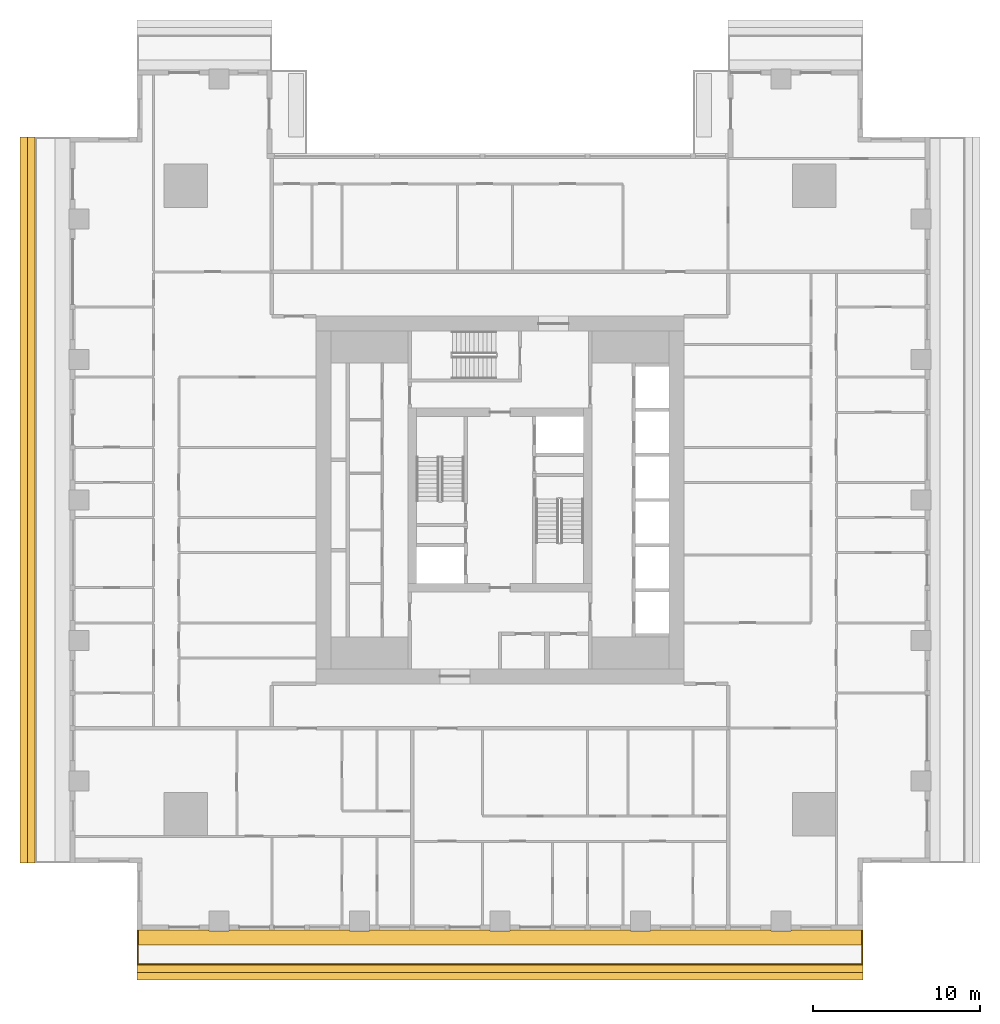
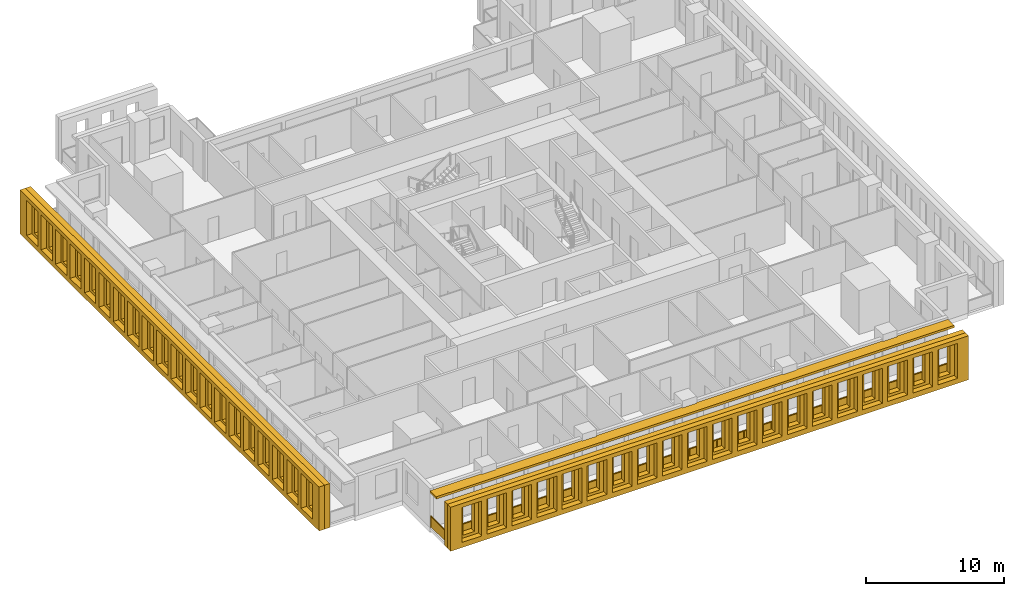
# One storey, part 11 of 16: 5 shading devices, 1 railing.
"""IFC4 building model written with IfcOpenShell, lengths in metres."""

import ifcopenshell
import ifcopenshell.guid

model = None  # the IFC model being written
_history = None  # IfcOwnerHistory: only IFC2X3 demands one
_inside = {}  # id of a spatial element -> (the spatial element, [elements in it])
_under = {}  # id of a project, library or spatial element -> (it, [spatial elements below it])
_declared = {}  # id of a project -> (the project, [libraries it declares])
_typed = {}  # id of a type object -> (the type object, [elements of that type])
_made_of = {}  # id of a material, layer set ... -> (it, [elements and type objects made of it])


def new_model(schema):
    """Start an empty IFC model of exactly this schema.

    Asked for "IFC4X3", IfcOpenShell would pick the latest addendum, in which some entities
    have other attributes; the version numbers below select the first issue.
    IFC2X3 requires an IfcOwnerHistory on every rooted entity: one is made here for all.
    """
    global model, _history
    if schema == "IFC4X3":
        model = ifcopenshell.file(schema_version=(4, 3, 0, 0))
    else:
        model = ifcopenshell.file(schema=schema)
    _inside.clear()
    _under.clear()
    _declared.clear()
    _typed.clear()
    _made_of.clear()
    _history = None
    if model.schema == "IFC2X3":
        org = make("IfcOrganization", Name="unknown")
        user = make(
            "IfcPersonAndOrganization",
            ThePerson=make("IfcPerson", FamilyName="unknown"),
            TheOrganization=org,
        )
        app = make(
            "IfcApplication",
            ApplicationDeveloper=org,
            Version="unknown",
            ApplicationFullName="unknown",
            ApplicationIdentifier="unknown",
        )
        _history = make(
            "IfcOwnerHistory",
            OwningUser=user,
            OwningApplication=app,
            ChangeAction="ADDED",
            CreationDate=0,
        )
    return model


def make(cls, **values):
    """One entity of the class cls with the attributes given. An attribute that is None is left unset."""
    return model.create_entity(
        cls, **{name: value for name, value in values.items() if value is not None}
    )


def rooted(cls, **values):
    """An entity with a GlobalId (a new one), such as an element, a storey or a relation."""
    return make(cls, GlobalId=ifcopenshell.guid.new(), OwnerHistory=_history, **values)


def si_unit(unit_type, name, prefix=None):
    """IfcSIUnit, for example si_unit("LENGTHUNIT", "METRE", prefix="MILLI")."""
    return make("IfcSIUnit", UnitType=unit_type, Prefix=prefix, Name=name)


def assignment(units):
    """IfcUnitAssignment: the units of a project."""
    return None if units is None else make("IfcUnitAssignment", Units=units)


def point(xyz):
    """IfcCartesianPoint."""
    return None if xyz is None else make("IfcCartesianPoint", Coordinates=xyz)


def direction(xyz):
    """IfcDirection."""
    return None if xyz is None else make("IfcDirection", DirectionRatios=xyz)


def frame(location, z_axis=None, x_axis=None):
    """IfcAxis2Placement3D, a coordinate frame: its origin and axes. An axis left out is left unset."""
    return make(
        "IfcAxis2Placement3D",
        Location=point(location),
        Axis=direction(z_axis),
        RefDirection=direction(x_axis),
    )


def frame_2d(location, x_axis=None):
    """IfcAxis2Placement2D, a coordinate frame in the plane: its origin and x axis."""
    return make(
        "IfcAxis2Placement2D", Location=point(location), RefDirection=direction(x_axis)
    )


def origin():
    """The frame at (0, 0, 0) with its axes left unset."""
    return frame((0.0, 0.0, 0.0))


def origin_2d():
    """The frame at (0, 0) in the plane with its x axis left unset."""
    return frame_2d((0.0, 0.0))


def place(relative_to, where):
    """IfcLocalPlacement: puts the frame where relative to a parent placement (None: the world)."""
    return make(
        "IfcLocalPlacement", PlacementRelTo=relative_to, RelativePlacement=where
    )


def context(
    kind, dimensions, precision=None, world=None, true_north=None, identifier=None
):
    """IfcGeometricRepresentationContext, for example the 3D "Model" context."""
    return make(
        "IfcGeometricRepresentationContext",
        ContextIdentifier=identifier,
        ContextType=kind,
        CoordinateSpaceDimension=dimensions,
        Precision=precision,
        WorldCoordinateSystem=world,
        TrueNorth=true_north,
    )


def subcontext(parent, identifier, kind, view, scale=None):
    """IfcGeometricRepresentationSubContext, for example "Body" below "Model"."""
    return make(
        "IfcGeometricRepresentationSubContext",
        ContextIdentifier=identifier,
        ContextType=kind,
        ParentContext=parent,
        TargetScale=scale,
        TargetView=view,
    )


def project(units=None, contexts=None):
    """IfcProject with its units and contexts."""
    return rooted(
        "IfcProject",
        Name="project",
        RepresentationContexts=contexts,
        UnitsInContext=assignment(units),
    )


def spatial(cls, under=None, at=None, **own):
    """A site, building, storey or space (cls), placed at a placement, below another one or the project."""
    s = rooted(cls, ObjectPlacement=at, **own)
    if under is not None:
        _under.setdefault(under.id(), (under, []))[1].append(s)
    return s


def polyline(points):
    """IfcPolyline through the points."""
    return make("IfcPolyline", Points=[point(p) for p in points])


def profile(cls, at=None, kind="AREA", **sizes):
    """A parametric profile (cls). Its sizes go by their IFC names, for example OverallWidth=200.0."""
    return make(cls, ProfileType=kind, Position=at, **sizes)


def rectangle(**sizes):
    """IfcRectangleProfileDef."""
    return profile("IfcRectangleProfileDef", **sizes)


def outline(outer, holes=None, kind="AREA"):
    """IfcArbitraryClosedProfileDef: a profile drawn as a closed curve; with holes, ...WithVoids."""
    if holes is None:
        return make("IfcArbitraryClosedProfileDef", ProfileType=kind, OuterCurve=outer)
    return make(
        "IfcArbitraryProfileDefWithVoids",
        ProfileType=kind,
        OuterCurve=outer,
        InnerCurves=holes,
    )


def extrude(swept, where, along, depth):
    """IfcExtrudedAreaSolid: the profile swept, set in the frame where, extruded along a direction by depth."""
    return make(
        "IfcExtrudedAreaSolid",
        SweptArea=swept,
        Position=where,
        ExtrudedDirection=direction(along),
        Depth=depth,
    )


def shape(context_of_items, identifier, shape_type, items):
    """IfcShapeRepresentation: the items that make up one representation, for example the "Body"."""
    return make(
        "IfcShapeRepresentation",
        ContextOfItems=context_of_items,
        RepresentationIdentifier=identifier,
        RepresentationType=shape_type,
        Items=items,
    )


def material(Name=None, Category=None):
    """IfcMaterial."""
    return make("IfcMaterial", Name=Name, Category=Category)


def layer(
    of_material, thickness, ventilated=None, Name=None, Category=None, Priority=None
):
    """IfcMaterialLayer: one layer of a wall or slab, of a material (None: an air gap)."""
    return make(
        "IfcMaterialLayer",
        Material=of_material,
        LayerThickness=thickness,
        IsVentilated=ventilated,
        Name=Name,
        Category=Category,
        Priority=Priority,
    )


def layer_set(layers, Name=None):
    """IfcMaterialLayerSet."""
    return make("IfcMaterialLayerSet", MaterialLayers=layers, LayerSetName=Name)


def made_of(thing, what):
    """Note that an element or type object is made of a material, layer set ...; save() writes the relation."""
    if what is not None:
        _made_of.setdefault(what.id(), (what, []))[1].append(thing)
    return thing


def type_object(cls, material=None, **own):
    """A type object (cls), such as IfcWallType, which elements share."""
    return made_of(rooted(cls, **own), material)


def element(
    cls,
    number,
    at=None,
    inside=None,
    cuts=None,
    type_object=None,
    material=None,
    context=None,
    identifier="Body",
    shape_type=None,
    held_by="IfcProductDefinitionShape",
    body=None,
    shapes=None,
    **own,
):
    """One element of the class cls, such as IfcWall. Its Tag is "e" and its number.

    at: its placement. inside: the storey or other place that contains it. cuts: it is an
    opening in that element (IfcRelVoidsElement). A single representation is given by context,
    identifier, shape_type and body (its items); several are given by shapes. held_by: the class
    of the entity that holds the representations. save() writes the other relations.
    """
    e = rooted(cls, Tag="e%d" % number, ObjectPlacement=at, **own)
    if body is not None:
        shapes = [shape(context, identifier, shape_type, body)]
    if shapes is not None:
        e.Representation = make(held_by, Representations=shapes)
    if inside is not None:
        _inside.setdefault(inside.id(), (inside, []))[1].append(e)
    if cuts is not None:
        rooted(
            "IfcRelVoidsElement", RelatingBuildingElement=cuts, RelatedOpeningElement=e
        )
    if type_object is not None:
        _typed.setdefault(type_object.id(), (type_object, []))[1].append(e)
    return made_of(e, material)


def aggregate(whole, parts):
    """IfcRelAggregates: a whole, such as a stair, and the parts it consists of."""
    return rooted("IfcRelAggregates", RelatingObject=whole, RelatedObjects=parts)


def save(model, path):
    """Write the relations noted so far, then the file.

    IfcRelAggregates (storeys below a building ...), IfcRelContainedInSpatialStructure (elements
    in a storey), IfcRelDefinesByType, IfcRelAssociatesMaterial and IfcRelDeclares: one each for
    every whole, place, type object, material and project.
    """
    for whole, parts in _under.values():
        aggregate(whole, parts)
    for where, things in _inside.values():
        rooted(
            "IfcRelContainedInSpatialStructure",
            RelatedElements=things,
            RelatingStructure=where,
        )
    for kind, things in _typed.values():
        rooted("IfcRelDefinesByType", RelatedObjects=things, RelatingType=kind)
    for what, things in _made_of.values():
        rooted("IfcRelAssociatesMaterial", RelatedObjects=things, RelatingMaterial=what)
    for by, libraries in _declared.values():
        rooted("IfcRelDeclares", RelatingContext=by, RelatedDefinitions=libraries)
    model.write(path)


model = new_model("IFC4")

# Units and contexts
model_context = context("Model", 3, precision=1e-05, world=origin(), true_north=direction((0.0, 1.0)))
body_context = subcontext(model_context, "Body", "Model", "MODEL_VIEW")
ifc_project = project(units=[si_unit("LENGTHUNIT", "METRE"), si_unit("AREAUNIT", "SQUARE_METRE"), si_unit("VOLUMEUNIT", "CUBIC_METRE"), si_unit("PLANEANGLEUNIT", "RADIAN"), si_unit("MASSUNIT", "GRAM", prefix="KILO")], contexts=[model_context])

# Site, building, storey
site_placement = place(None, origin())
site = spatial("IfcSite", under=ifc_project, at=site_placement, CompositionType="ELEMENT")
building_placement = place(site_placement, origin())
building = spatial("IfcBuilding", under=site, at=building_placement, Name="Khepri Terraces", CompositionType="ELEMENT")
storey_placement = place(building_placement, frame((0.0, 0.0, 172.800048828125)))
storey = spatial("IfcBuildingStorey", under=building, at=storey_placement, Name="L41", CompositionType="ELEMENT", Elevation=172.800048828125)

# Railing
ifc_material_1 = material(Name="Stainless steel grade 316", Category="steel")
railing_type = type_object("IfcRailingType", Name="GRD-BAL-1100", PredefinedType="GUARDRAIL", material=ifc_material_1)
railing_placement = place(storey_placement, frame((-21.669921875, -25.719970703125, 0.0)))
element("IfcRailing", 1, at=railing_placement, inside=storey, type_object=railing_type, Name="Balcony guard L41 S", PredefinedType="GUARDRAIL", context=body_context, shape_type="SweptSolid", body=[
    extrude(rectangle(XDim=0.050048828125, YDim=0.06005859375, at=origin_2d()), frame((0.0, 0.0, 1.070068359375), z_axis=(0.0, -1.0, 0.0), x_axis=(1.0, 0.0, 0.0)), (0.0, 0.0, 1.0), 2.050048828125),
    extrude(rectangle(XDim=2.0, YDim=0.011962890625, at=origin_2d()), frame((0.0, -1.02490234375, 0.10009765625), z_axis=(0.0, 0.0, 1.0), x_axis=(0.0, -1.0, 0.0)), (0.0, 0.0, 1.0), 0.93994140625),
    extrude(rectangle(XDim=0.050048828125, YDim=0.06005859375, at=origin_2d()), frame((0.0, -2.050048828125, 1.070068359375), z_axis=(1.0, 0.0, 0.0), x_axis=(0.0, 1.0, 0.0)), (0.0, 0.0, 1.0), 43.33984375),
    extrude(rectangle(XDim=2.23095703125, YDim=0.011962890625, at=origin_2d()), frame((1.140625, -2.050048828125, 0.10009765625), z_axis=(0.0, 0.0, 1.0), x_axis=(1.0, 0.0, 0.0)), (0.0, 0.0, 1.0), 0.93994140625),
    extrude(rectangle(XDim=2.23095703125, YDim=0.011962890625, at=origin_2d()), frame((3.421630859375, -2.050048828125, 0.10009765625), z_axis=(0.0, 0.0, 1.0), x_axis=(1.0, 0.0, 0.0)), (0.0, 0.0, 1.0), 0.93994140625),
    extrude(rectangle(XDim=2.23095703125, YDim=0.011962890625, at=origin_2d()), frame((5.70263671875, -2.050048828125, 0.10009765625), z_axis=(0.0, 0.0, 1.0), x_axis=(1.0, 0.0, 0.0)), (0.0, 0.0, 1.0), 0.93994140625),
    extrude(rectangle(XDim=2.23095703125, YDim=0.011962890625, at=origin_2d()), frame((7.983642578125, -2.050048828125, 0.10009765625), z_axis=(0.0, 0.0, 1.0), x_axis=(1.0, 0.0, 0.0)), (0.0, 0.0, 1.0), 0.93994140625),
    extrude(rectangle(XDim=2.23095703125, YDim=0.011962890625, at=origin_2d()), frame((10.2646484375, -2.050048828125, 0.10009765625), z_axis=(0.0, 0.0, 1.0), x_axis=(1.0, 0.0, 0.0)), (0.0, 0.0, 1.0), 0.93994140625),
    extrude(rectangle(XDim=2.23095703125, YDim=0.011962890625, at=origin_2d()), frame((12.545654296875, -2.050048828125, 0.10009765625), z_axis=(0.0, 0.0, 1.0), x_axis=(1.0, 0.0, 0.0)), (0.0, 0.0, 1.0), 0.93994140625),
    extrude(rectangle(XDim=2.23095703125, YDim=0.011962890625, at=origin_2d()), frame((14.826904296875, -2.050048828125, 0.10009765625), z_axis=(0.0, 0.0, 1.0), x_axis=(1.0, 0.0, 0.0)), (0.0, 0.0, 1.0), 0.93994140625),
    extrude(rectangle(XDim=2.23095703125, YDim=0.011962890625, at=origin_2d()), frame((17.10791015625, -2.050048828125, 0.10009765625), z_axis=(0.0, 0.0, 1.0), x_axis=(1.0, 0.0, 0.0)), (0.0, 0.0, 1.0), 0.93994140625),
    extrude(rectangle(XDim=2.23095703125, YDim=0.011962890625, at=origin_2d()), frame((19.388916015625, -2.050048828125, 0.10009765625), z_axis=(0.0, 0.0, 1.0), x_axis=(1.0, 0.0, 0.0)), (0.0, 0.0, 1.0), 0.93994140625),
    extrude(rectangle(XDim=2.23095703125, YDim=0.011962890625, at=origin_2d()), frame((21.669921875, -2.050048828125, 0.10009765625), z_axis=(0.0, 0.0, 1.0), x_axis=(1.0, 0.0, 0.0)), (0.0, 0.0, 1.0), 0.93994140625),
    extrude(rectangle(XDim=2.23095703125, YDim=0.011962890625, at=origin_2d()), frame((23.950927734375, -2.050048828125, 0.10009765625), z_axis=(0.0, 0.0, 1.0), x_axis=(1.0, 0.0, 0.0)), (0.0, 0.0, 1.0), 0.93994140625),
    extrude(rectangle(XDim=2.23095703125, YDim=0.011962890625, at=origin_2d()), frame((26.23193359375, -2.050048828125, 0.10009765625), z_axis=(0.0, 0.0, 1.0), x_axis=(1.0, 0.0, 0.0)), (0.0, 0.0, 1.0), 0.93994140625),
    extrude(rectangle(XDim=2.23095703125, YDim=0.011962890625, at=origin_2d()), frame((28.512939453125, -2.050048828125, 0.10009765625), z_axis=(0.0, 0.0, 1.0), x_axis=(1.0, 0.0, 0.0)), (0.0, 0.0, 1.0), 0.93994140625),
    extrude(rectangle(XDim=2.23095703125, YDim=0.011962890625, at=origin_2d()), frame((30.794189453125, -2.050048828125, 0.10009765625), z_axis=(0.0, 0.0, 1.0), x_axis=(1.0, 0.0, 0.0)), (0.0, 0.0, 1.0), 0.93994140625),
    extrude(rectangle(XDim=2.23095703125, YDim=0.011962890625, at=origin_2d()), frame((33.0751953125, -2.050048828125, 0.10009765625), z_axis=(0.0, 0.0, 1.0), x_axis=(1.0, 0.0, 0.0)), (0.0, 0.0, 1.0), 0.93994140625),
    extrude(rectangle(XDim=2.23095703125, YDim=0.011962890625, at=origin_2d()), frame((35.356201171875, -2.050048828125, 0.10009765625), z_axis=(0.0, 0.0, 1.0), x_axis=(1.0, 0.0, 0.0)), (0.0, 0.0, 1.0), 0.93994140625),
    extrude(rectangle(XDim=2.23095703125, YDim=0.011962890625, at=origin_2d()), frame((37.63720703125, -2.050048828125, 0.10009765625), z_axis=(0.0, 0.0, 1.0), x_axis=(1.0, 0.0, 0.0)), (0.0, 0.0, 1.0), 0.93994140625),
    extrude(rectangle(XDim=2.23095703125, YDim=0.011962890625, at=origin_2d()), frame((39.918212890625, -2.050048828125, 0.10009765625), z_axis=(0.0, 0.0, 1.0), x_axis=(1.0, 0.0, 0.0)), (0.0, 0.0, 1.0), 0.93994140625),
    extrude(rectangle(XDim=2.23095703125, YDim=0.011962890625, at=origin_2d()), frame((42.19921875, -2.050048828125, 0.10009765625), z_axis=(0.0, 0.0, 1.0), x_axis=(1.0, 0.0, 0.0)), (0.0, 0.0, 1.0), 0.93994140625),
    extrude(rectangle(XDim=0.050048828125, YDim=0.06005859375, at=origin_2d()), frame((43.33984375, -2.050048828125, 1.070068359375), z_axis=(0.0, 1.0, 0.0), x_axis=(-1.0, 0.0, 0.0)), (0.0, 0.0, 1.0), 2.050048828125),
    extrude(rectangle(XDim=2.0, YDim=0.011962890625, at=origin_2d()), frame((43.33984375, -1.02490234375, 0.10009765625), z_axis=(0.0, 0.0, 1.0), x_axis=(0.0, 1.0, 0.0)), (0.0, 0.0, 1.0), 0.93994140625),
    extrude(rectangle(XDim=0.050048828125, YDim=0.050048828125, at=origin_2d()), origin(), (0.0, 0.0, 1.0), 1.0400390625),
    extrude(rectangle(XDim=0.050048828125, YDim=0.050048828125, at=origin_2d()), frame((0.0, -2.050048828125, 0.0)), (0.0, 0.0, 1.0), 1.0400390625),
    extrude(rectangle(XDim=0.050048828125, YDim=0.050048828125, at=origin_2d()), frame((2.281005859375, -2.050048828125, 0.0)), (0.0, 0.0, 1.0), 1.0400390625),
    extrude(rectangle(XDim=0.050048828125, YDim=0.050048828125, at=origin_2d()), frame((4.56201171875, -2.050048828125, 0.0)), (0.0, 0.0, 1.0), 1.0400390625),
    extrude(rectangle(XDim=0.050048828125, YDim=0.050048828125, at=origin_2d()), frame((6.843017578125, -2.050048828125, 0.0)), (0.0, 0.0, 1.0), 1.0400390625),
    extrude(rectangle(XDim=0.050048828125, YDim=0.050048828125, at=origin_2d()), frame((9.124267578125, -2.050048828125, 0.0)), (0.0, 0.0, 1.0), 1.0400390625),
    extrude(rectangle(XDim=0.050048828125, YDim=0.050048828125, at=origin_2d()), frame((11.4052734375, -2.050048828125, 0.0)), (0.0, 0.0, 1.0), 1.0400390625),
    extrude(rectangle(XDim=0.050048828125, YDim=0.050048828125, at=origin_2d()), frame((13.686279296875, -2.050048828125, 0.0)), (0.0, 0.0, 1.0), 1.0400390625),
    extrude(rectangle(XDim=0.050048828125, YDim=0.050048828125, at=origin_2d()), frame((15.96728515625, -2.050048828125, 0.0)), (0.0, 0.0, 1.0), 1.0400390625),
    extrude(rectangle(XDim=0.050048828125, YDim=0.050048828125, at=origin_2d()), frame((18.248291015625, -2.050048828125, 0.0)), (0.0, 0.0, 1.0), 1.0400390625),
    extrude(rectangle(XDim=0.050048828125, YDim=0.050048828125, at=origin_2d()), frame((20.529296875, -2.050048828125, 0.0)), (0.0, 0.0, 1.0), 1.0400390625),
    extrude(rectangle(XDim=0.050048828125, YDim=0.050048828125, at=origin_2d()), frame((22.810546875, -2.050048828125, 0.0)), (0.0, 0.0, 1.0), 1.0400390625),
    extrude(rectangle(XDim=0.050048828125, YDim=0.050048828125, at=origin_2d()), frame((25.091552734375, -2.050048828125, 0.0)), (0.0, 0.0, 1.0), 1.0400390625),
    extrude(rectangle(XDim=0.050048828125, YDim=0.050048828125, at=origin_2d()), frame((27.37255859375, -2.050048828125, 0.0)), (0.0, 0.0, 1.0), 1.0400390625),
    extrude(rectangle(XDim=0.050048828125, YDim=0.050048828125, at=origin_2d()), frame((29.653564453125, -2.050048828125, 0.0)), (0.0, 0.0, 1.0), 1.0400390625),
    extrude(rectangle(XDim=0.050048828125, YDim=0.050048828125, at=origin_2d()), frame((31.9345703125, -2.050048828125, 0.0)), (0.0, 0.0, 1.0), 1.0400390625),
    extrude(rectangle(XDim=0.050048828125, YDim=0.050048828125, at=origin_2d()), frame((34.215576171875, -2.050048828125, 0.0)), (0.0, 0.0, 1.0), 1.0400390625),
    extrude(rectangle(XDim=0.050048828125, YDim=0.050048828125, at=origin_2d()), frame((36.496826171875, -2.050048828125, 0.0)), (0.0, 0.0, 1.0), 1.0400390625),
    extrude(rectangle(XDim=0.050048828125, YDim=0.050048828125, at=origin_2d()), frame((38.77783203125, -2.050048828125, 0.0)), (0.0, 0.0, 1.0), 1.0400390625),
    extrude(rectangle(XDim=0.050048828125, YDim=0.050048828125, at=origin_2d()), frame((41.058837890625, -2.050048828125, 0.0)), (0.0, 0.0, 1.0), 1.0400390625),
    extrude(rectangle(XDim=0.050048828125, YDim=0.050048828125, at=origin_2d()), frame((43.33984375, -2.050048828125, 0.0)), (0.0, 0.0, 1.0), 1.0400390625),
    extrude(rectangle(XDim=0.050048828125, YDim=0.050048828125, at=origin_2d()), frame((43.33984375, 0.0, 0.0)), (0.0, 0.0, 1.0), 1.0400390625),
])

# Shading devices
ifc_material_2 = material(Name="Precast concrete C50/60 warm stone", Category="masonry")
shading_device_type_1 = type_object("IfcShadingDeviceType", Name="SCR-CELL-INNER-450", PredefinedType="USERDEFINED", material=ifc_material_2)
shading_device_1_placement = place(storey_placement, frame((-21.719970703125, -27.820068359375, -0.25), z_axis=(0.0, -1.0, 0.0), x_axis=(1.0, 0.0, 0.0)))
element("IfcShadingDevice", 2, at=shading_device_1_placement, inside=storey, type_object=shading_device_type_1, Name="Cell screen L41 S in", ObjectType="SCREEN", PredefinedType="USERDEFINED", context=body_context, shape_type="SweptSolid", body=[
    extrude(outline(polyline([(0.0, 0.0), (43.43994140625, 0.0), (43.43994140625, 3.89990234375), (0.0, 3.89990234375), (0.0, 0.0)]), holes=[polyline([(1.297607421875, 0.699951171875), (2.242431640625, 0.699951171875), (2.242431640625, 3.300048828125), (1.297607421875, 3.300048828125), (1.297607421875, 0.699951171875)]), polyline([(3.3974609375, 0.699951171875), (4.342529296875, 0.699951171875), (4.342529296875, 3.300048828125), (3.3974609375, 3.300048828125), (3.3974609375, 0.699951171875)]), polyline([(5.49755859375, 0.699951171875), (6.4423828125, 0.699951171875), (6.4423828125, 3.300048828125), (5.49755859375, 3.300048828125), (5.49755859375, 0.699951171875)]), polyline([(7.597412109375, 0.699951171875), (8.54248046875, 0.699951171875), (8.54248046875, 3.300048828125), (7.597412109375, 3.300048828125), (7.597412109375, 0.699951171875)]), polyline([(9.697509765625, 0.699951171875), (10.642578125, 0.699951171875), (10.642578125, 3.300048828125), (9.697509765625, 3.300048828125), (9.697509765625, 0.699951171875)]), polyline([(11.797607421875, 0.699951171875), (12.742431640625, 0.699951171875), (12.742431640625, 3.300048828125), (11.797607421875, 3.300048828125), (11.797607421875, 0.699951171875)]), polyline([(13.8974609375, 0.699951171875), (14.842529296875, 0.699951171875), (14.842529296875, 3.300048828125), (13.8974609375, 3.300048828125), (13.8974609375, 0.699951171875)]), polyline([(15.99755859375, 0.699951171875), (16.9423828125, 0.699951171875), (16.9423828125, 3.300048828125), (15.99755859375, 3.300048828125), (15.99755859375, 0.699951171875)]), polyline([(18.097412109375, 0.699951171875), (19.04248046875, 0.699951171875), (19.04248046875, 3.300048828125), (18.097412109375, 3.300048828125), (18.097412109375, 0.699951171875)]), polyline([(20.197509765625, 0.699951171875), (21.142578125, 0.699951171875), (21.142578125, 3.300048828125), (20.197509765625, 3.300048828125), (20.197509765625, 0.699951171875)]), polyline([(22.297607421875, 0.699951171875), (23.242431640625, 0.699951171875), (23.242431640625, 3.300048828125), (22.297607421875, 3.300048828125), (22.297607421875, 0.699951171875)]), polyline([(24.3974609375, 0.699951171875), (25.342529296875, 0.699951171875), (25.342529296875, 3.300048828125), (24.3974609375, 3.300048828125), (24.3974609375, 0.699951171875)]), polyline([(26.49755859375, 0.699951171875), (27.4423828125, 0.699951171875), (27.4423828125, 3.300048828125), (26.49755859375, 3.300048828125), (26.49755859375, 0.699951171875)]), polyline([(28.597412109375, 0.699951171875), (29.54248046875, 0.699951171875), (29.54248046875, 3.300048828125), (28.597412109375, 3.300048828125), (28.597412109375, 0.699951171875)]), polyline([(30.697509765625, 0.699951171875), (31.642578125, 0.699951171875), (31.642578125, 3.300048828125), (30.697509765625, 3.300048828125), (30.697509765625, 0.699951171875)]), polyline([(32.797607421875, 0.699951171875), (33.742431640625, 0.699951171875), (33.742431640625, 3.300048828125), (32.797607421875, 3.300048828125), (32.797607421875, 0.699951171875)]), polyline([(34.8974609375, 0.699951171875), (35.842529296875, 0.699951171875), (35.842529296875, 3.300048828125), (34.8974609375, 3.300048828125), (34.8974609375, 0.699951171875)]), polyline([(36.99755859375, 0.699951171875), (37.9423828125, 0.699951171875), (37.9423828125, 3.300048828125), (36.99755859375, 3.300048828125), (36.99755859375, 0.699951171875)]), polyline([(39.097412109375, 0.699951171875), (40.04248046875, 0.699951171875), (40.04248046875, 3.300048828125), (39.097412109375, 3.300048828125), (39.097412109375, 0.699951171875)]), polyline([(41.197509765625, 0.699951171875), (42.142578125, 0.699951171875), (42.142578125, 3.300048828125), (41.197509765625, 3.300048828125), (41.197509765625, 0.699951171875)])]), origin(), (0.0, 0.0, 1.0), 0.449951171875),
])
shading_device_2_placement = place(storey_placement, frame((-27.820068359375, 21.719970703125, -0.25), z_axis=(-1.0, 0.0, 0.0), x_axis=(0.0, -1.0, 0.0)))
element("IfcShadingDevice", 3, at=shading_device_2_placement, inside=storey, type_object=shading_device_type_1, Name="Cell screen L41 W in", ObjectType="SCREEN", PredefinedType="USERDEFINED", context=body_context, shape_type="SweptSolid", body=[
    extrude(outline(polyline([(0.0, 0.0), (43.43994140625, 0.0), (43.43994140625, 3.89990234375), (0.0, 3.89990234375), (0.0, 0.0)]), holes=[polyline([(1.297607421875, 0.699951171875), (2.242431640625, 0.699951171875), (2.242431640625, 3.300048828125), (1.297607421875, 3.300048828125), (1.297607421875, 0.699951171875)]), polyline([(3.3974609375, 0.699951171875), (4.342529296875, 0.699951171875), (4.342529296875, 3.300048828125), (3.3974609375, 3.300048828125), (3.3974609375, 0.699951171875)]), polyline([(5.49755859375, 0.699951171875), (6.4423828125, 0.699951171875), (6.4423828125, 3.300048828125), (5.49755859375, 3.300048828125), (5.49755859375, 0.699951171875)]), polyline([(7.597412109375, 0.699951171875), (8.54248046875, 0.699951171875), (8.54248046875, 3.300048828125), (7.597412109375, 3.300048828125), (7.597412109375, 0.699951171875)]), polyline([(9.697509765625, 0.699951171875), (10.642578125, 0.699951171875), (10.642578125, 3.300048828125), (9.697509765625, 3.300048828125), (9.697509765625, 0.699951171875)]), polyline([(11.797607421875, 0.699951171875), (12.742431640625, 0.699951171875), (12.742431640625, 3.300048828125), (11.797607421875, 3.300048828125), (11.797607421875, 0.699951171875)]), polyline([(13.8974609375, 0.699951171875), (14.842529296875, 0.699951171875), (14.842529296875, 3.300048828125), (13.8974609375, 3.300048828125), (13.8974609375, 0.699951171875)]), polyline([(15.99755859375, 0.699951171875), (16.9423828125, 0.699951171875), (16.9423828125, 3.300048828125), (15.99755859375, 3.300048828125), (15.99755859375, 0.699951171875)]), polyline([(18.097412109375, 0.699951171875), (19.04248046875, 0.699951171875), (19.04248046875, 3.300048828125), (18.097412109375, 3.300048828125), (18.097412109375, 0.699951171875)]), polyline([(20.197509765625, 0.699951171875), (21.142578125, 0.699951171875), (21.142578125, 3.300048828125), (20.197509765625, 3.300048828125), (20.197509765625, 0.699951171875)]), polyline([(22.297607421875, 0.699951171875), (23.242431640625, 0.699951171875), (23.242431640625, 3.300048828125), (22.297607421875, 3.300048828125), (22.297607421875, 0.699951171875)]), polyline([(24.3974609375, 0.699951171875), (25.342529296875, 0.699951171875), (25.342529296875, 3.300048828125), (24.3974609375, 3.300048828125), (24.3974609375, 0.699951171875)]), polyline([(26.49755859375, 0.699951171875), (27.4423828125, 0.699951171875), (27.4423828125, 3.300048828125), (26.49755859375, 3.300048828125), (26.49755859375, 0.699951171875)]), polyline([(28.597412109375, 0.699951171875), (29.54248046875, 0.699951171875), (29.54248046875, 3.300048828125), (28.597412109375, 3.300048828125), (28.597412109375, 0.699951171875)]), polyline([(30.697509765625, 0.699951171875), (31.642578125, 0.699951171875), (31.642578125, 3.300048828125), (30.697509765625, 3.300048828125), (30.697509765625, 0.699951171875)]), polyline([(32.797607421875, 0.699951171875), (33.742431640625, 0.699951171875), (33.742431640625, 3.300048828125), (32.797607421875, 3.300048828125), (32.797607421875, 0.699951171875)]), polyline([(34.8974609375, 0.699951171875), (35.842529296875, 0.699951171875), (35.842529296875, 3.300048828125), (34.8974609375, 3.300048828125), (34.8974609375, 0.699951171875)]), polyline([(36.99755859375, 0.699951171875), (37.9423828125, 0.699951171875), (37.9423828125, 3.300048828125), (36.99755859375, 3.300048828125), (36.99755859375, 0.699951171875)]), polyline([(39.097412109375, 0.699951171875), (40.04248046875, 0.699951171875), (40.04248046875, 3.300048828125), (39.097412109375, 3.300048828125), (39.097412109375, 0.699951171875)]), polyline([(41.197509765625, 0.699951171875), (42.142578125, 0.699951171875), (42.142578125, 3.300048828125), (41.197509765625, 3.300048828125), (41.197509765625, 0.699951171875)])]), origin(), (0.0, 0.0, 1.0), 0.449951171875),
])
shading_device_type_2 = type_object("IfcShadingDeviceType", Name="SCR-CELL-OUTER-450", PredefinedType="USERDEFINED", material=ifc_material_2)
shading_device_3_placement = place(storey_placement, frame((-21.719970703125, -28.27001953125, -0.25), z_axis=(0.0, -1.0, 0.0), x_axis=(1.0, 0.0, 0.0)))
element("IfcShadingDevice", 4, at=shading_device_3_placement, inside=storey, type_object=shading_device_type_2, Name="Cell screen L41 S out", ObjectType="SCREEN", PredefinedType="USERDEFINED", context=body_context, shape_type="SweptSolid", body=[
    extrude(outline(polyline([(0.0, 0.0), (43.43994140625, 0.0), (43.43994140625, 3.89990234375), (0.0, 3.89990234375), (0.0, 0.0)]), holes=[polyline([(0.947509765625, 0.449951171875), (2.592529296875, 0.449951171875), (2.592529296875, 3.550048828125), (0.947509765625, 3.550048828125), (0.947509765625, 0.449951171875)]), polyline([(3.047607421875, 0.449951171875), (4.6923828125, 0.449951171875), (4.6923828125, 3.550048828125), (3.047607421875, 3.550048828125), (3.047607421875, 0.449951171875)]), polyline([(5.1474609375, 0.449951171875), (6.79248046875, 0.449951171875), (6.79248046875, 3.550048828125), (5.1474609375, 3.550048828125), (5.1474609375, 0.449951171875)]), polyline([(7.24755859375, 0.449951171875), (8.892578125, 0.449951171875), (8.892578125, 3.550048828125), (7.24755859375, 3.550048828125), (7.24755859375, 0.449951171875)]), polyline([(9.347412109375, 0.449951171875), (10.992431640625, 0.449951171875), (10.992431640625, 3.550048828125), (9.347412109375, 3.550048828125), (9.347412109375, 0.449951171875)]), polyline([(11.447509765625, 0.449951171875), (13.092529296875, 0.449951171875), (13.092529296875, 3.550048828125), (11.447509765625, 3.550048828125), (11.447509765625, 0.449951171875)]), polyline([(13.547607421875, 0.449951171875), (15.1923828125, 0.449951171875), (15.1923828125, 3.550048828125), (13.547607421875, 3.550048828125), (13.547607421875, 0.449951171875)]), polyline([(15.6474609375, 0.449951171875), (17.29248046875, 0.449951171875), (17.29248046875, 3.550048828125), (15.6474609375, 3.550048828125), (15.6474609375, 0.449951171875)]), polyline([(17.74755859375, 0.449951171875), (19.392578125, 0.449951171875), (19.392578125, 3.550048828125), (17.74755859375, 3.550048828125), (17.74755859375, 0.449951171875)]), polyline([(19.847412109375, 0.449951171875), (21.492431640625, 0.449951171875), (21.492431640625, 3.550048828125), (19.847412109375, 3.550048828125), (19.847412109375, 0.449951171875)]), polyline([(21.947509765625, 0.449951171875), (23.592529296875, 0.449951171875), (23.592529296875, 3.550048828125), (21.947509765625, 3.550048828125), (21.947509765625, 0.449951171875)]), polyline([(24.047607421875, 0.449951171875), (25.6923828125, 0.449951171875), (25.6923828125, 3.550048828125), (24.047607421875, 3.550048828125), (24.047607421875, 0.449951171875)]), polyline([(26.1474609375, 0.449951171875), (27.79248046875, 0.449951171875), (27.79248046875, 3.550048828125), (26.1474609375, 3.550048828125), (26.1474609375, 0.449951171875)]), polyline([(28.24755859375, 0.449951171875), (29.892578125, 0.449951171875), (29.892578125, 3.550048828125), (28.24755859375, 3.550048828125), (28.24755859375, 0.449951171875)]), polyline([(30.347412109375, 0.449951171875), (31.992431640625, 0.449951171875), (31.992431640625, 3.550048828125), (30.347412109375, 3.550048828125), (30.347412109375, 0.449951171875)]), polyline([(32.447509765625, 0.449951171875), (34.092529296875, 0.449951171875), (34.092529296875, 3.550048828125), (32.447509765625, 3.550048828125), (32.447509765625, 0.449951171875)]), polyline([(34.547607421875, 0.449951171875), (36.1923828125, 0.449951171875), (36.1923828125, 3.550048828125), (34.547607421875, 3.550048828125), (34.547607421875, 0.449951171875)]), polyline([(36.6474609375, 0.449951171875), (38.29248046875, 0.449951171875), (38.29248046875, 3.550048828125), (36.6474609375, 3.550048828125), (36.6474609375, 0.449951171875)]), polyline([(38.74755859375, 0.449951171875), (40.392578125, 0.449951171875), (40.392578125, 3.550048828125), (38.74755859375, 3.550048828125), (38.74755859375, 0.449951171875)]), polyline([(40.847412109375, 0.449951171875), (42.492431640625, 0.449951171875), (42.492431640625, 3.550048828125), (40.847412109375, 3.550048828125), (40.847412109375, 0.449951171875)])]), origin(), (0.0, 0.0, 1.0), 0.449951171875),
])
shading_device_4_placement = place(storey_placement, frame((-28.27001953125, 21.719970703125, -0.25), z_axis=(-1.0, 0.0, 0.0), x_axis=(0.0, -1.0, 0.0)))
element("IfcShadingDevice", 5, at=shading_device_4_placement, inside=storey, type_object=shading_device_type_2, Name="Cell screen L41 W out", ObjectType="SCREEN", PredefinedType="USERDEFINED", context=body_context, shape_type="SweptSolid", body=[
    extrude(outline(polyline([(0.0, 0.0), (43.43994140625, 0.0), (43.43994140625, 3.89990234375), (0.0, 3.89990234375), (0.0, 0.0)]), holes=[polyline([(0.947509765625, 0.449951171875), (2.592529296875, 0.449951171875), (2.592529296875, 3.550048828125), (0.947509765625, 3.550048828125), (0.947509765625, 0.449951171875)]), polyline([(3.047607421875, 0.449951171875), (4.6923828125, 0.449951171875), (4.6923828125, 3.550048828125), (3.047607421875, 3.550048828125), (3.047607421875, 0.449951171875)]), polyline([(5.1474609375, 0.449951171875), (6.79248046875, 0.449951171875), (6.79248046875, 3.550048828125), (5.1474609375, 3.550048828125), (5.1474609375, 0.449951171875)]), polyline([(7.24755859375, 0.449951171875), (8.892578125, 0.449951171875), (8.892578125, 3.550048828125), (7.24755859375, 3.550048828125), (7.24755859375, 0.449951171875)]), polyline([(9.347412109375, 0.449951171875), (10.992431640625, 0.449951171875), (10.992431640625, 3.550048828125), (9.347412109375, 3.550048828125), (9.347412109375, 0.449951171875)]), polyline([(11.447509765625, 0.449951171875), (13.092529296875, 0.449951171875), (13.092529296875, 3.550048828125), (11.447509765625, 3.550048828125), (11.447509765625, 0.449951171875)]), polyline([(13.547607421875, 0.449951171875), (15.1923828125, 0.449951171875), (15.1923828125, 3.550048828125), (13.547607421875, 3.550048828125), (13.547607421875, 0.449951171875)]), polyline([(15.6474609375, 0.449951171875), (17.29248046875, 0.449951171875), (17.29248046875, 3.550048828125), (15.6474609375, 3.550048828125), (15.6474609375, 0.449951171875)]), polyline([(17.74755859375, 0.449951171875), (19.392578125, 0.449951171875), (19.392578125, 3.550048828125), (17.74755859375, 3.550048828125), (17.74755859375, 0.449951171875)]), polyline([(19.847412109375, 0.449951171875), (21.492431640625, 0.449951171875), (21.492431640625, 3.550048828125), (19.847412109375, 3.550048828125), (19.847412109375, 0.449951171875)]), polyline([(21.947509765625, 0.449951171875), (23.592529296875, 0.449951171875), (23.592529296875, 3.550048828125), (21.947509765625, 3.550048828125), (21.947509765625, 0.449951171875)]), polyline([(24.047607421875, 0.449951171875), (25.6923828125, 0.449951171875), (25.6923828125, 3.550048828125), (24.047607421875, 3.550048828125), (24.047607421875, 0.449951171875)]), polyline([(26.1474609375, 0.449951171875), (27.79248046875, 0.449951171875), (27.79248046875, 3.550048828125), (26.1474609375, 3.550048828125), (26.1474609375, 0.449951171875)]), polyline([(28.24755859375, 0.449951171875), (29.892578125, 0.449951171875), (29.892578125, 3.550048828125), (28.24755859375, 3.550048828125), (28.24755859375, 0.449951171875)]), polyline([(30.347412109375, 0.449951171875), (31.992431640625, 0.449951171875), (31.992431640625, 3.550048828125), (30.347412109375, 3.550048828125), (30.347412109375, 0.449951171875)]), polyline([(32.447509765625, 0.449951171875), (34.092529296875, 0.449951171875), (34.092529296875, 3.550048828125), (32.447509765625, 3.550048828125), (32.447509765625, 0.449951171875)]), polyline([(34.547607421875, 0.449951171875), (36.1923828125, 0.449951171875), (36.1923828125, 3.550048828125), (34.547607421875, 3.550048828125), (34.547607421875, 0.449951171875)]), polyline([(36.6474609375, 0.449951171875), (38.29248046875, 0.449951171875), (38.29248046875, 3.550048828125), (36.6474609375, 3.550048828125), (36.6474609375, 0.449951171875)]), polyline([(38.74755859375, 0.449951171875), (40.392578125, 0.449951171875), (40.392578125, 3.550048828125), (38.74755859375, 3.550048828125), (38.74755859375, 0.449951171875)]), polyline([(40.847412109375, 0.449951171875), (42.492431640625, 0.449951171875), (42.492431640625, 3.550048828125), (40.847412109375, 3.550048828125), (40.847412109375, 0.449951171875)])]), origin(), (0.0, 0.0, 1.0), 0.449951171875),
])
ifc_layer = layer(ifc_material_2, 0.199951171875, Name="Precast concrete C50/60 warm stone", Category="masonry")
ifc_layer_set = layer_set([ifc_layer], Name="Precast concrete C50/60 warm stone")
shading_device_type_3 = type_object("IfcShadingDeviceType", Name="SSH-BAND-STONE-200", PredefinedType="USERDEFINED", material=ifc_layer_set)
shading_device_5_placement = place(storey_placement, frame((0.0, 0.0, 3.099853515625)))
element("IfcShadingDevice", 6, at=shading_device_5_placement, inside=storey, type_object=shading_device_type_3, Name="Sunshade band L41 S", ObjectType="SUNSHADE", PredefinedType="USERDEFINED", context=body_context, shape_type="SweptSolid", body=[
    extrude(outline(polyline([(-17.39990234375, -25.719970703125), (-21.719970703125, -25.719970703125), (-21.719970703125, -26.6201171875), (21.719970703125, -26.6201171875), (21.719970703125, -25.719970703125), (17.39990234375, -25.719970703125), (17.39990234375, -25.800048828125), (16.199951171875, -25.800048828125), (16.199951171875, -25.719970703125), (9.0, -25.719970703125), (9.0, -25.800048828125), (7.800048828125, -25.800048828125), (7.800048828125, -25.719970703125), (0.60009765625, -25.719970703125), (0.60009765625, -25.800048828125), (-0.60009765625, -25.800048828125), (-0.60009765625, -25.719970703125), (-7.800048828125, -25.719970703125), (-7.800048828125, -25.800048828125), (-9.0, -25.800048828125), (-9.0, -25.719970703125), (-16.199951171875, -25.719970703125), (-16.199951171875, -25.800048828125), (-17.39990234375, -25.800048828125), (-17.39990234375, -25.719970703125)])), origin(), (0.0, 0.0, 1.0), 0.2001953125),
])

save(model, "model.ifc")
